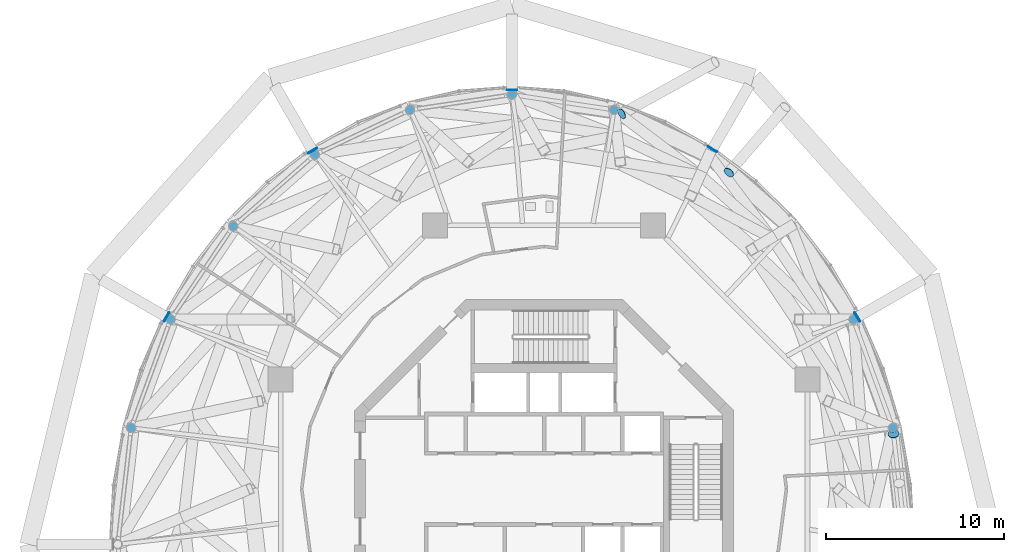
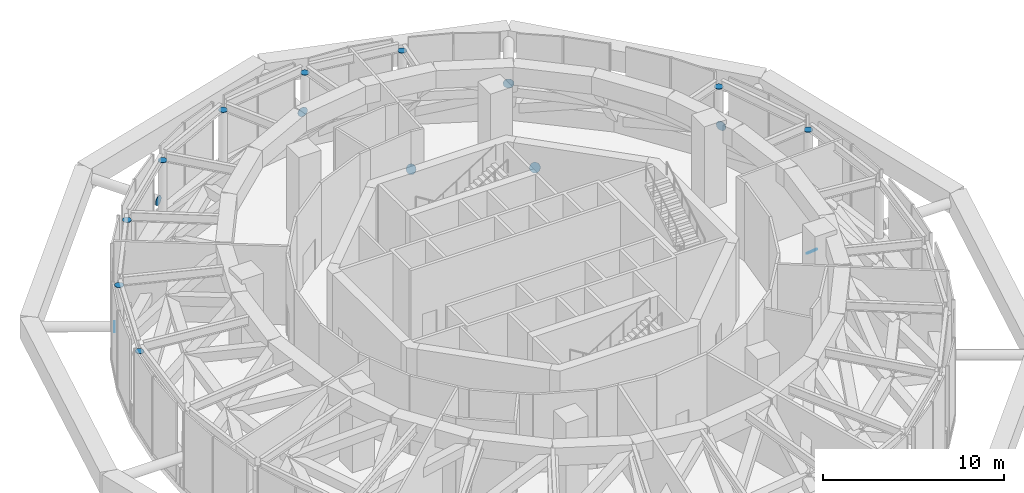
# One storey, part 19 of 22: 17 discrete accessories.
"""IFC4 building model written with IfcOpenShell, lengths in metres."""

from ifc_helpers import new_model, si_unit, direction, frame, origin, origin_2d, place, context, subcontext, project, spatial, circle, extrude, material, layer, layer_set, type_object, element, save


model = new_model("IFC4")

# Units and contexts
model_context = context("Model", 3, precision=1e-05, world=origin(), true_north=direction((0.0, 1.0)))
body_context = subcontext(model_context, "Body", "Model", "MODEL_VIEW")
ifc_project = project(units=[si_unit("LENGTHUNIT", "METRE"), si_unit("AREAUNIT", "SQUARE_METRE"), si_unit("VOLUMEUNIT", "CUBIC_METRE"), si_unit("PLANEANGLEUNIT", "RADIAN"), si_unit("MASSUNIT", "GRAM", prefix="KILO")], contexts=[model_context])

# Site, building, storey
site_placement = place(None, origin())
site = spatial("IfcSite", under=ifc_project, at=site_placement, CompositionType="ELEMENT")
building_placement = place(site_placement, origin())
building = spatial("IfcBuilding", under=site, at=building_placement, Name="Nagisa Residences", CompositionType="ELEMENT")
storey_placement = place(building_placement, frame((0.0, 0.0, 310.300048828125)))
storey = spatial("IfcBuildingStorey", under=building, at=storey_placement, Name="L77", CompositionType="ELEMENT", Elevation=310.300048828125)

# Discrete accessories
ifc_material_1 = material(Name="Steel ASTM A572 Gr 50", Category="steel")
ifc_layer_1 = layer(ifc_material_1, 0.030029296875)
ifc_layer_set_1 = layer_set([ifc_layer_1], Name="End plate")
discrete_accessory_type_1 = type_object("IfcDiscreteAccessoryType", Name="End plate", PredefinedType="ANCHORPLATE", material=ifc_layer_set_1)
discrete_accessory_1_placement = place(storey_placement, frame((9.449951171875, 19.06982421875, 1.89990234375), z_axis=(-0.498778343083, -0.866729579783, 0.0), x_axis=(0.866729579783, -0.498778343083, 0.0)))
element("IfcDiscreteAccessory", 1, at=discrete_accessory_1_placement, inside=storey, type_object=discrete_accessory_type_1, Name="End plate ST6T03", PredefinedType="ANCHORPLATE", context=body_context, shape_type="SweptSolid", body=[
    extrude(circle(Radius=0.304931640625, at=origin_2d()), origin(), (0.0, 0.0, 1.0), 0.02978515625),
])
for number, where, z_axis, x_axis, name in (
    (2, (19.566162109375, 3.414794921875, 4.697021484375), (0.0, 0.0, 1.0), (1.0, 0.0, 0.0), "End plate GP602"),
    (3, (17.3564453125, 9.502197265625, 4.697021484375), (0.0, 0.0, 1.0), (1.0, 0.0, 0.0), "End plate GP603"),
    (4, (3.925048828125, 21.26220703125, 4.697021484375), (0.0, 0.0, 1.0), (1.0, 0.0, 0.0), "End plate GP606"),
    (5, (-1.800048828125, 22.122314453125, 4.697021484375), (0.0, 0.0, 1.0), (1.0, 0.0, 0.0), "End plate GP607"),
    (6, (-7.525146484375, 21.26220703125, 4.697021484375), (0.0, 0.0, 1.0), (1.0, 0.0, 0.0), "End plate GP608"),
    (7, (-12.860107421875, 18.74072265625, 4.697021484375), (0.0, 0.0, 1.0), (1.0, 0.0, 0.0), "End plate GP609"),
    (8, (-17.441162109375, 14.729736328125, 4.697021484375), (0.0, 0.0, 1.0), (1.0, 0.0, 0.0), "End plate GP610"),
    (9, (-20.95654296875, 9.502197265625, 4.697021484375), (0.0, 0.0, 1.0), (1.0, 0.0, 0.0), "End plate GP611"),
    (10, (-23.166259765625, 3.414794921875, 4.697021484375), (0.0, 0.0, 1.0), (1.0, 0.0, 0.0), "End plate GP612"),
):
    element("IfcDiscreteAccessory", number, at=place(storey_placement, frame(where, z_axis=z_axis, x_axis=x_axis)), inside=storey, type_object=discrete_accessory_type_1, Name=name, PredefinedType="ANCHORPLATE", context=body_context, shape_type="SweptSolid", body=[
        extrude(circle(Radius=0.25390625, at=origin_2d()), origin(), (0.0, 0.0, 1.0), 0.030029296875),
    ])
ifc_material_2 = material(Name="Steel ASTM A572 Gr 50", Category="steel")
ifc_layer_2 = layer(ifc_material_2, 0.030029296875)
ifc_layer_set_2 = layer_set([ifc_layer_2], Name="Node plate")
discrete_accessory_type_2 = type_object("IfcDiscreteAccessoryType", Name="Node plate", PredefinedType="ANCHORPLATE", material=ifc_layer_set_2)
for number, where, z_axis, x_axis, name in (
    (11, (17.59375, 9.639404296875, 1.89990234375), (-0.863187603129, -0.504883315038, 0.0), (0.504883315038, -0.863187603129, 0.0), "Node plate ST6T02"),
    (12, (-1.800048828125, 22.396240234375, 1.89990234375), (0.0, -1.0, 0.0), (1.0, 0.0, 0.0), "Node plate ST6T04"),
    (13, (-12.9970703125, 18.97802734375, 1.89990234375), (0.504883315038, -0.863187603129, 0.0), (0.863187603129, 0.504883315038, 0.0), "Node plate ST6T05"),
):
    element("IfcDiscreteAccessory", number, at=place(storey_placement, frame(where, z_axis=z_axis, x_axis=x_axis)), inside=storey, type_object=discrete_accessory_type_2, Name=name, PredefinedType="ANCHORPLATE", context=body_context, shape_type="SweptSolid", body=[
        extrude(circle(Radius=0.304931640625, at=origin_2d()), origin(), (0.0, 0.0, 1.0), 0.030029296875),
    ])
discrete_accessory_2_placement = place(storey_placement, frame((-21.19384765625, 9.639404296875, 1.89990234375), z_axis=(0.865241683045, -0.501354993914, 0.0), x_axis=(0.501354993914, 0.865241683045, 0.0)))
element("IfcDiscreteAccessory", 14, at=discrete_accessory_2_placement, inside=storey, type_object=discrete_accessory_type_2, Name="Node plate ST6T06", PredefinedType="ANCHORPLATE", context=body_context, shape_type="SweptSolid", body=[
    extrude(circle(Radius=0.304931640625, at=origin_2d()), origin(), (0.0, 0.0, 1.0), 0.0302734375),
])
for number, where, z_axis, x_axis, name in (
    (15, (10.38037109375, 17.760009765625, -3.330078125), (-0.51915978302, -0.608390370727, 0.600278499117), (0.760686645348, -0.649119270697, 0.0), "Node plate PK1"),
    (16, (4.377197265625, 21.048583984375, -3.330078125), (-0.747177703194, -0.414196335466, 0.519775793526), (0.484835561728, -0.874605327038, 0.0), "Node plate PK2"),
    (17, (19.60546875, 3.07421875, -3.330078125), (-0.073274937681, 0.667616098869, 0.740891036549), (-0.994030677348, -0.109100928002, 0.0), "Node plate PK4"),
):
    element("IfcDiscreteAccessory", number, at=place(storey_placement, frame(where, z_axis=z_axis, x_axis=x_axis)), inside=storey, type_object=discrete_accessory_type_2, Name=name, PredefinedType="ANCHORPLATE", context=body_context, shape_type="SweptSolid", body=[
        extrude(circle(Radius=0.304931640625, at=origin_2d()), origin(), (0.0, 0.0, 1.0), 0.030029296875),
    ])

save(model, "model.ifc")
